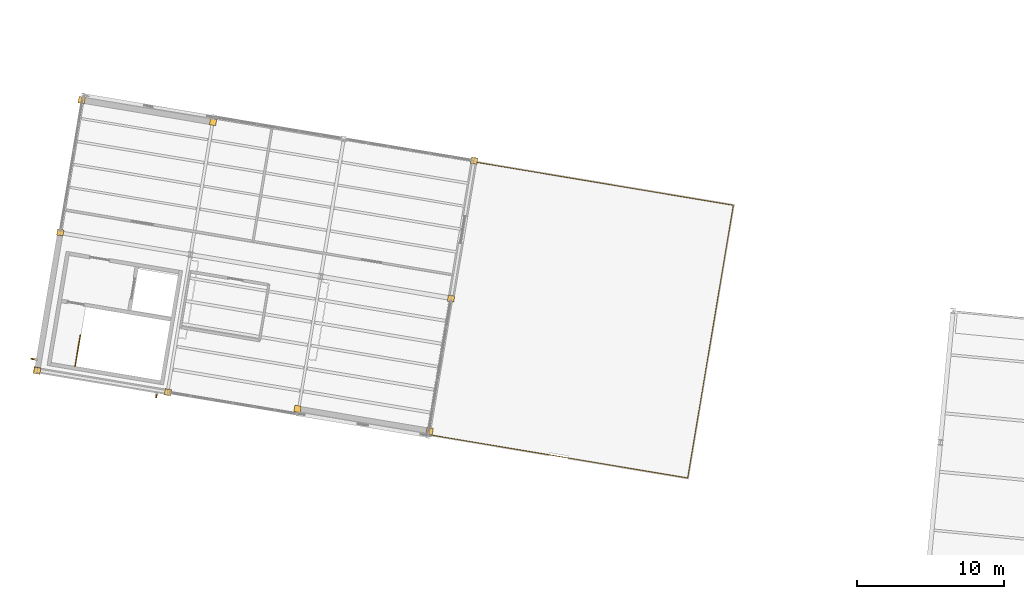
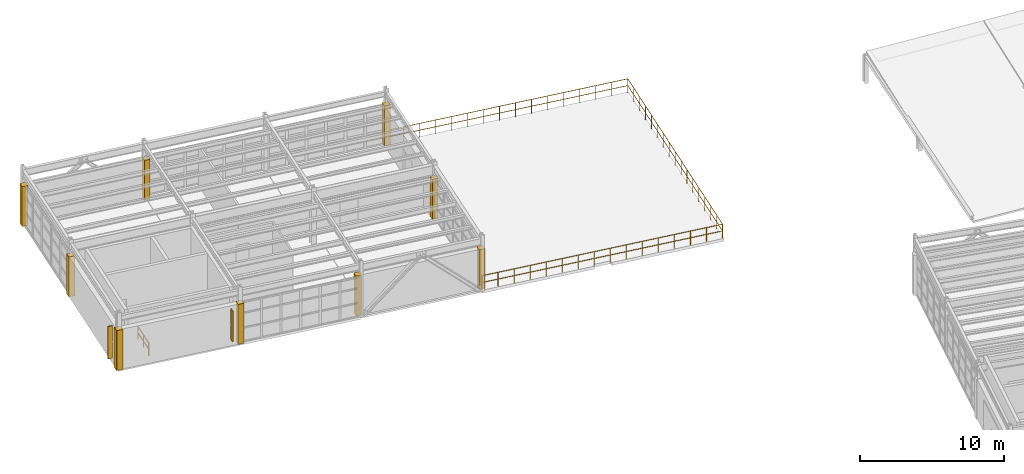
# One storey, part 58 of 59: 10 coverings, 2 railings, 2 shading devices.
"""IFC4 building model written with IfcOpenShell, lengths in metres."""

import ifcopenshell
import ifcopenshell.guid

model = None  # the IFC model being written
_history = None  # IfcOwnerHistory: only IFC2X3 demands one
_inside = {}  # id of a spatial element -> (the spatial element, [elements in it])
_under = {}  # id of a project, library or spatial element -> (it, [spatial elements below it])
_declared = {}  # id of a project -> (the project, [libraries it declares])
_typed = {}  # id of a type object -> (the type object, [elements of that type])
_made_of = {}  # id of a material, layer set ... -> (it, [elements and type objects made of it])


def new_model(schema):
    """Start an empty IFC model of exactly this schema.

    Asked for "IFC4X3", IfcOpenShell would pick the latest addendum, in which some entities
    have other attributes; the version numbers below select the first issue.
    IFC2X3 requires an IfcOwnerHistory on every rooted entity: one is made here for all.
    """
    global model, _history
    if schema == "IFC4X3":
        model = ifcopenshell.file(schema_version=(4, 3, 0, 0))
    else:
        model = ifcopenshell.file(schema=schema)
    _inside.clear()
    _under.clear()
    _declared.clear()
    _typed.clear()
    _made_of.clear()
    _history = None
    if model.schema == "IFC2X3":
        org = make("IfcOrganization", Name="unknown")
        user = make(
            "IfcPersonAndOrganization",
            ThePerson=make("IfcPerson", FamilyName="unknown"),
            TheOrganization=org,
        )
        app = make(
            "IfcApplication",
            ApplicationDeveloper=org,
            Version="unknown",
            ApplicationFullName="unknown",
            ApplicationIdentifier="unknown",
        )
        _history = make(
            "IfcOwnerHistory",
            OwningUser=user,
            OwningApplication=app,
            ChangeAction="ADDED",
            CreationDate=0,
        )
    return model


def make(cls, **values):
    """One entity of the class cls with the attributes given. An attribute that is None is left unset."""
    return model.create_entity(
        cls, **{name: value for name, value in values.items() if value is not None}
    )


def rooted(cls, **values):
    """An entity with a GlobalId (a new one), such as an element, a storey or a relation."""
    return make(cls, GlobalId=ifcopenshell.guid.new(), OwnerHistory=_history, **values)


def si_unit(unit_type, name, prefix=None):
    """IfcSIUnit, for example si_unit("LENGTHUNIT", "METRE", prefix="MILLI")."""
    return make("IfcSIUnit", UnitType=unit_type, Prefix=prefix, Name=name)


def assignment(units):
    """IfcUnitAssignment: the units of a project."""
    return None if units is None else make("IfcUnitAssignment", Units=units)


def point(xyz):
    """IfcCartesianPoint."""
    return None if xyz is None else make("IfcCartesianPoint", Coordinates=xyz)


def direction(xyz):
    """IfcDirection."""
    return None if xyz is None else make("IfcDirection", DirectionRatios=xyz)


def frame(location, z_axis=None, x_axis=None):
    """IfcAxis2Placement3D, a coordinate frame: its origin and axes. An axis left out is left unset."""
    return make(
        "IfcAxis2Placement3D",
        Location=point(location),
        Axis=direction(z_axis),
        RefDirection=direction(x_axis),
    )


def frame_2d(location, x_axis=None):
    """IfcAxis2Placement2D, a coordinate frame in the plane: its origin and x axis."""
    return make(
        "IfcAxis2Placement2D", Location=point(location), RefDirection=direction(x_axis)
    )


def origin():
    """The frame at (0, 0, 0) with its axes left unset."""
    return frame((0.0, 0.0, 0.0))


def origin_2d():
    """The frame at (0, 0) in the plane with its x axis left unset."""
    return frame_2d((0.0, 0.0))


def place(relative_to, where):
    """IfcLocalPlacement: puts the frame where relative to a parent placement (None: the world)."""
    return make(
        "IfcLocalPlacement", PlacementRelTo=relative_to, RelativePlacement=where
    )


def context(
    kind, dimensions, precision=None, world=None, true_north=None, identifier=None
):
    """IfcGeometricRepresentationContext, for example the 3D "Model" context."""
    return make(
        "IfcGeometricRepresentationContext",
        ContextIdentifier=identifier,
        ContextType=kind,
        CoordinateSpaceDimension=dimensions,
        Precision=precision,
        WorldCoordinateSystem=world,
        TrueNorth=true_north,
    )


def subcontext(parent, identifier, kind, view, scale=None):
    """IfcGeometricRepresentationSubContext, for example "Body" below "Model"."""
    return make(
        "IfcGeometricRepresentationSubContext",
        ContextIdentifier=identifier,
        ContextType=kind,
        ParentContext=parent,
        TargetScale=scale,
        TargetView=view,
    )


def project(units=None, contexts=None):
    """IfcProject with its units and contexts."""
    return rooted(
        "IfcProject",
        Name="project",
        RepresentationContexts=contexts,
        UnitsInContext=assignment(units),
    )


def spatial(cls, under=None, at=None, **own):
    """A site, building, storey or space (cls), placed at a placement, below another one or the project."""
    s = rooted(cls, ObjectPlacement=at, **own)
    if under is not None:
        _under.setdefault(under.id(), (under, []))[1].append(s)
    return s


def profile(cls, at=None, kind="AREA", **sizes):
    """A parametric profile (cls). Its sizes go by their IFC names, for example OverallWidth=200.0."""
    return make(cls, ProfileType=kind, Position=at, **sizes)


def rectangle(**sizes):
    """IfcRectangleProfileDef."""
    return profile("IfcRectangleProfileDef", **sizes)


def circle(**sizes):
    """IfcCircleProfileDef."""
    return profile("IfcCircleProfileDef", **sizes)


def extrude(swept, where, along, depth):
    """IfcExtrudedAreaSolid: the profile swept, set in the frame where, extruded along a direction by depth."""
    return make(
        "IfcExtrudedAreaSolid",
        SweptArea=swept,
        Position=where,
        ExtrudedDirection=direction(along),
        Depth=depth,
    )


def shape(context_of_items, identifier, shape_type, items):
    """IfcShapeRepresentation: the items that make up one representation, for example the "Body"."""
    return make(
        "IfcShapeRepresentation",
        ContextOfItems=context_of_items,
        RepresentationIdentifier=identifier,
        RepresentationType=shape_type,
        Items=items,
    )


def material(Name=None, Category=None):
    """IfcMaterial."""
    return make("IfcMaterial", Name=Name, Category=Category)


def layer(
    of_material, thickness, ventilated=None, Name=None, Category=None, Priority=None
):
    """IfcMaterialLayer: one layer of a wall or slab, of a material (None: an air gap)."""
    return make(
        "IfcMaterialLayer",
        Material=of_material,
        LayerThickness=thickness,
        IsVentilated=ventilated,
        Name=Name,
        Category=Category,
        Priority=Priority,
    )


def layer_set(layers, Name=None):
    """IfcMaterialLayerSet."""
    return make("IfcMaterialLayerSet", MaterialLayers=layers, LayerSetName=Name)


def made_of(thing, what):
    """Note that an element or type object is made of a material, layer set ...; save() writes the relation."""
    if what is not None:
        _made_of.setdefault(what.id(), (what, []))[1].append(thing)
    return thing


def type_object(cls, material=None, **own):
    """A type object (cls), such as IfcWallType, which elements share."""
    return made_of(rooted(cls, **own), material)


def element(
    cls,
    number,
    at=None,
    inside=None,
    cuts=None,
    type_object=None,
    material=None,
    context=None,
    identifier="Body",
    shape_type=None,
    held_by="IfcProductDefinitionShape",
    body=None,
    shapes=None,
    **own,
):
    """One element of the class cls, such as IfcWall. Its Tag is "e" and its number.

    at: its placement. inside: the storey or other place that contains it. cuts: it is an
    opening in that element (IfcRelVoidsElement). A single representation is given by context,
    identifier, shape_type and body (its items); several are given by shapes. held_by: the class
    of the entity that holds the representations. save() writes the other relations.
    """
    e = rooted(cls, Tag="e%d" % number, ObjectPlacement=at, **own)
    if body is not None:
        shapes = [shape(context, identifier, shape_type, body)]
    if shapes is not None:
        e.Representation = make(held_by, Representations=shapes)
    if inside is not None:
        _inside.setdefault(inside.id(), (inside, []))[1].append(e)
    if cuts is not None:
        rooted(
            "IfcRelVoidsElement", RelatingBuildingElement=cuts, RelatedOpeningElement=e
        )
    if type_object is not None:
        _typed.setdefault(type_object.id(), (type_object, []))[1].append(e)
    return made_of(e, material)


def aggregate(whole, parts):
    """IfcRelAggregates: a whole, such as a stair, and the parts it consists of."""
    return rooted("IfcRelAggregates", RelatingObject=whole, RelatedObjects=parts)


def save(model, path):
    """Write the relations noted so far, then the file.

    IfcRelAggregates (storeys below a building ...), IfcRelContainedInSpatialStructure (elements
    in a storey), IfcRelDefinesByType, IfcRelAssociatesMaterial and IfcRelDeclares: one each for
    every whole, place, type object, material and project.
    """
    for whole, parts in _under.values():
        aggregate(whole, parts)
    for where, things in _inside.values():
        rooted(
            "IfcRelContainedInSpatialStructure",
            RelatedElements=things,
            RelatingStructure=where,
        )
    for kind, things in _typed.values():
        rooted("IfcRelDefinesByType", RelatedObjects=things, RelatingType=kind)
    for what, things in _made_of.values():
        rooted("IfcRelAssociatesMaterial", RelatedObjects=things, RelatingMaterial=what)
    for by, libraries in _declared.values():
        rooted("IfcRelDeclares", RelatingContext=by, RelatedDefinitions=libraries)
    model.write(path)


model = new_model("IFC4")

# Units and contexts
model_context = context("Model", 3, precision=1e-05, world=origin(), true_north=direction((0.0, 1.0)))
body_context = subcontext(model_context, "Body", "Model", "MODEL_VIEW")
ifc_project = project(units=[si_unit("LENGTHUNIT", "METRE"), si_unit("AREAUNIT", "SQUARE_METRE"), si_unit("VOLUMEUNIT", "CUBIC_METRE"), si_unit("PLANEANGLEUNIT", "RADIAN"), si_unit("MASSUNIT", "GRAM", prefix="KILO")], contexts=[model_context])

# Site, building, storey
site_placement = place(None, origin())
site = spatial("IfcSite", under=ifc_project, at=site_placement, CompositionType="ELEMENT")
building_placement = place(site_placement, origin())
building = spatial("IfcBuilding", under=site, at=building_placement, Name="Vireo Bluff Cable Station", CompositionType="ELEMENT")
storey_placement = place(building_placement, frame((0.0, 0.0, 14.39990234375)))
storey = spatial("IfcBuildingStorey", under=building, at=storey_placement, Name="L03", CompositionType="ELEMENT", Elevation=14.39990234375)

# Coverings
ifc_material_1 = material(Name="Precast concrete f'c 45 MPa", Category="concrete")
ifc_layer = layer(ifc_material_1, 0.0400390625, Name="Precast concrete f'c 45 MPa")
ifc_layer_set = layer_set([ifc_layer], Name="Precast concrete f'c 45 MPa")
covering_type = type_object("IfcCoveringType", Name="COL-CLOSURE-WRAP", PredefinedType="CLADDING", material=ifc_layer_set)
for number, where, z_axis, x_axis, name in (
    (1, (33.80419921875, 76.740234375, 0.000244140625), (0.0, 0.0, 1.0), (0.986285601537, -0.165047605861, 0.0), "V4 L03 column pocket closure"),
    (2, (24.80224609375, 78.246826171875, 0.000244140625), (0.0, 0.0, 1.0), (0.986285601537, -0.165047605861, 0.0), "V4 L03 column pocket closure"),
    (3, (15.9697265625, 79.380126953125, 0.000244140625), (0.0, 0.0, 1.0), (0.986285601537, -0.165047605861, 0.0), "V4 L03 column pocket closure"),
    (4, (7.043701171875, 80.873779296875, 0.000244140625), (0.0, 0.0, 1.0), (0.986285601537, -0.165047605861, 0.0), "V4 L03 column pocket closure"),
    (5, (7.064453125, 80.849609375, 0.000244140625), (0.0, 0.0, 1.0), (0.986285601537, -0.165047605861, 0.0), "V4 L03 column pocket closure"),
    (6, (8.639404296875, 90.259765625, 0.000244140625), (0.0, 0.0, 1.0), (0.986285601537, -0.165047605861, 0.0), "V4 L03 column pocket closure"),
    (7, (10.098876953125, 99.281982421875, 0.000244140625), (0.0, 0.0, 1.0), (0.986285601537, -0.165047605861, 0.0), "V4 L03 column pocket closure"),
    (8, (19.049560546875, 97.7841796875, 0.000244140625), (0.0, 0.0, 1.0), (0.986285601537, -0.165047605861, 0.0), "V4 L03 column pocket closure"),
    (9, (36.833740234375, 95.154296875, 0.000244140625), (0.0, 0.0, 1.0), (0.986285601537, -0.165047605861, 0.0), "V4 L03 column pocket closure"),
    (10, (35.261474609375, 85.759033203125, 0.000244140625), (0.0, 0.0, 1.0), (0.986285601537, -0.165047605861, 0.0), "V4 L03 column pocket closure"),
):
    element("IfcCovering", number, at=place(storey_placement, frame(where, z_axis=z_axis, x_axis=x_axis)), inside=storey, type_object=covering_type, Name=name, PredefinedType="CLADDING", context=body_context, shape_type="SweptSolid", body=[
        extrude(rectangle(XDim=0.43994140625, YDim=0.43994140625, at=origin_2d()), origin(), (0.0, 0.0, 1.0), 3.39990234375),
    ])

# Railing
ifc_material_2 = material(Name="Stainless Steel 316", Category="steel")
railing_type_1 = type_object("IfcRailingType", Name="EXTGUARD-1200", PredefinedType="GUARDRAIL", material=ifc_material_2)
railing_1_placement = place(storey_placement, frame((33.750244140625, 76.48583984375, 0.0)))
element("IfcRailing", 11, at=railing_1_placement, inside=storey, type_object=railing_type_1, Name="V4 L03 outdoor terrace guard 2", PredefinedType="GUARDRAIL", context=body_context, shape_type="SweptSolid", body=[
    extrude(circle(Radius=0.02392578125, at=origin_2d()), frame((0.0, 0.0, 1.17578125), z_axis=(0.986284470904, -0.165054362115, 0.0), x_axis=(0.165054362115, 0.986284470904, 0.0)), (0.0, 0.0, 1.0), 17.8798828125),
    extrude(circle(Radius=0.02392578125, at=origin_2d()), frame((0.0, 0.0, 0.60009765625), z_axis=(0.986284470904, -0.165054362115, 0.0), x_axis=(0.165054362115, 0.986284470904, 0.0)), (0.0, 0.0, 1.0), 17.8798828125),
    extrude(circle(Radius=0.02392578125, at=origin_2d()), frame((17.634765625, -2.951171875, 1.17578125), z_axis=(0.165054589684, 0.986284432821, 0.0), x_axis=(-0.986284432821, 0.165054589684, 0.0)), (0.0, 0.0, 1.0), 18.83984375),
    extrude(circle(Radius=0.02392578125, at=origin_2d()), frame((17.634765625, -2.951171875, 0.60009765625), z_axis=(0.165054589684, 0.986284432821, 0.0), x_axis=(-0.986284432821, 0.165054589684, 0.0)), (0.0, 0.0, 1.0), 18.83984375),
    extrude(circle(Radius=0.02392578125, at=origin_2d()), frame((20.744384765625, 15.63037109375, 1.17578125), z_axis=(-0.986284470904, 0.165054362115, 0.0), x_axis=(-0.165054362115, -0.986284470904, 0.0)), (0.0, 0.0, 1.0), 17.8798828125),
    extrude(circle(Radius=0.02392578125, at=origin_2d()), frame((20.744384765625, 15.63037109375, 0.60009765625), z_axis=(-0.986284470904, 0.165054362115, 0.0), x_axis=(-0.165054362115, -0.986284470904, 0.0)), (0.0, 0.0, 1.0), 17.8798828125),
    extrude(circle(Radius=0.02099609375, at=origin_2d()), origin(), (0.0, 0.0, 1.0), 1.15185546875),
    extrude(circle(Radius=0.02099609375, at=origin_2d()), frame((1.175537109375, -0.19677734375, 0.0)), (0.0, 0.0, 1.0), 1.15185546875),
    extrude(circle(Radius=0.02099609375, at=origin_2d()), frame((2.351318359375, -0.3935546875, 0.0)), (0.0, 0.0, 1.0), 1.15185546875),
    extrude(circle(Radius=0.02099609375, at=origin_2d()), frame((3.52685546875, -0.59033203125, 0.0)), (0.0, 0.0, 1.0), 1.15185546875),
    extrude(circle(Radius=0.02099609375, at=origin_2d()), frame((4.70263671875, -0.786865234375, 0.0)), (0.0, 0.0, 1.0), 1.15185546875),
    extrude(circle(Radius=0.02099609375, at=origin_2d()), frame((5.878173828125, -0.983642578125, 0.0)), (0.0, 0.0, 1.0), 1.15185546875),
    extrude(circle(Radius=0.02099609375, at=origin_2d()), frame((7.053955078125, -1.180419921875, 0.0)), (0.0, 0.0, 1.0), 1.15185546875),
    extrude(circle(Radius=0.02099609375, at=origin_2d()), frame((8.2294921875, -1.377197265625, 0.0)), (0.0, 0.0, 1.0), 1.15185546875),
    extrude(circle(Radius=0.02099609375, at=origin_2d()), frame((9.4052734375, -1.573974609375, 0.0)), (0.0, 0.0, 1.0), 1.15185546875),
    extrude(circle(Radius=0.02099609375, at=origin_2d()), frame((10.580810546875, -1.770751953125, 0.0)), (0.0, 0.0, 1.0), 1.15185546875),
    extrude(circle(Radius=0.02099609375, at=origin_2d()), frame((11.756591796875, -1.967529296875, 0.0)), (0.0, 0.0, 1.0), 1.15185546875),
    extrude(circle(Radius=0.02099609375, at=origin_2d()), frame((12.93212890625, -2.164306640625, 0.0)), (0.0, 0.0, 1.0), 1.15185546875),
    extrude(circle(Radius=0.02099609375, at=origin_2d()), frame((14.10791015625, -2.36083984375, 0.0)), (0.0, 0.0, 1.0), 1.15185546875),
    extrude(circle(Radius=0.02099609375, at=origin_2d()), frame((15.283447265625, -2.5576171875, 0.0)), (0.0, 0.0, 1.0), 1.15185546875),
    extrude(circle(Radius=0.02099609375, at=origin_2d()), frame((16.459228515625, -2.75439453125, 0.0)), (0.0, 0.0, 1.0), 1.15185546875),
    extrude(circle(Radius=0.02099609375, at=origin_2d()), frame((17.634765625, -2.951171875, 0.0)), (0.0, 0.0, 1.0), 1.15185546875),
    extrude(circle(Radius=0.02099609375, at=origin_2d()), frame((17.8291015625, -1.789794921875, 0.0)), (0.0, 0.0, 1.0), 1.15185546875),
    extrude(circle(Radius=0.02099609375, at=origin_2d()), frame((18.0234375, -0.62841796875, 0.0)), (0.0, 0.0, 1.0), 1.15185546875),
    extrude(circle(Radius=0.02099609375, at=origin_2d()), frame((18.2177734375, 0.532958984375, 0.0)), (0.0, 0.0, 1.0), 1.15185546875),
    extrude(circle(Radius=0.02099609375, at=origin_2d()), frame((18.412109375, 1.6943359375, 0.0)), (0.0, 0.0, 1.0), 1.15185546875),
    extrude(circle(Radius=0.02099609375, at=origin_2d()), frame((18.6064453125, 2.85546875, 0.0)), (0.0, 0.0, 1.0), 1.15185546875),
    extrude(circle(Radius=0.02099609375, at=origin_2d()), frame((18.80078125, 4.016845703125, 0.0)), (0.0, 0.0, 1.0), 1.15185546875),
    extrude(circle(Radius=0.02099609375, at=origin_2d()), frame((18.9951171875, 5.17822265625, 0.0)), (0.0, 0.0, 1.0), 1.15185546875),
    extrude(circle(Radius=0.02099609375, at=origin_2d()), frame((19.189453125, 6.339599609375, 0.0)), (0.0, 0.0, 1.0), 1.15185546875),
    extrude(circle(Radius=0.02099609375, at=origin_2d()), frame((19.384033203125, 7.5009765625, 0.0)), (0.0, 0.0, 1.0), 1.15185546875),
    extrude(circle(Radius=0.02099609375, at=origin_2d()), frame((19.578369140625, 8.662353515625, 0.0)), (0.0, 0.0, 1.0), 1.15185546875),
    extrude(circle(Radius=0.02099609375, at=origin_2d()), frame((19.772705078125, 9.82373046875, 0.0)), (0.0, 0.0, 1.0), 1.15185546875),
    extrude(circle(Radius=0.02099609375, at=origin_2d()), frame((19.967041015625, 10.98486328125, 0.0)), (0.0, 0.0, 1.0), 1.15185546875),
    extrude(circle(Radius=0.02099609375, at=origin_2d()), frame((20.161376953125, 12.146240234375, 0.0)), (0.0, 0.0, 1.0), 1.15185546875),
    extrude(circle(Radius=0.02099609375, at=origin_2d()), frame((20.355712890625, 13.3076171875, 0.0)), (0.0, 0.0, 1.0), 1.15185546875),
    extrude(circle(Radius=0.02099609375, at=origin_2d()), frame((20.550048828125, 14.468994140625, 0.0)), (0.0, 0.0, 1.0), 1.15185546875),
    extrude(circle(Radius=0.02099609375, at=origin_2d()), frame((20.744384765625, 15.63037109375, 0.0)), (0.0, 0.0, 1.0), 1.15185546875),
    extrude(circle(Radius=0.02099609375, at=origin_2d()), frame((19.56884765625, 15.8271484375, 0.0)), (0.0, 0.0, 1.0), 1.15185546875),
    extrude(circle(Radius=0.02099609375, at=origin_2d()), frame((18.39306640625, 16.02392578125, 0.0)), (0.0, 0.0, 1.0), 1.15185546875),
    extrude(circle(Radius=0.02099609375, at=origin_2d()), frame((17.217529296875, 16.220703125, 0.0)), (0.0, 0.0, 1.0), 1.15185546875),
    extrude(circle(Radius=0.02099609375, at=origin_2d()), frame((16.041748046875, 16.417236328125, 0.0)), (0.0, 0.0, 1.0), 1.15185546875),
    extrude(circle(Radius=0.02099609375, at=origin_2d()), frame((14.8662109375, 16.614013671875, 0.0)), (0.0, 0.0, 1.0), 1.15185546875),
    extrude(circle(Radius=0.02099609375, at=origin_2d()), frame((13.6904296875, 16.810791015625, 0.0)), (0.0, 0.0, 1.0), 1.15185546875),
    extrude(circle(Radius=0.02099609375, at=origin_2d()), frame((12.514892578125, 17.007568359375, 0.0)), (0.0, 0.0, 1.0), 1.15185546875),
    extrude(circle(Radius=0.02099609375, at=origin_2d()), frame((11.339111328125, 17.204345703125, 0.0)), (0.0, 0.0, 1.0), 1.15185546875),
    extrude(circle(Radius=0.02099609375, at=origin_2d()), frame((10.16357421875, 17.401123046875, 0.0)), (0.0, 0.0, 1.0), 1.15185546875),
    extrude(circle(Radius=0.02099609375, at=origin_2d()), frame((8.98779296875, 17.597900390625, 0.0)), (0.0, 0.0, 1.0), 1.15185546875),
    extrude(circle(Radius=0.02099609375, at=origin_2d()), frame((7.812255859375, 17.794677734375, 0.0)), (0.0, 0.0, 1.0), 1.15185546875),
    extrude(circle(Radius=0.02099609375, at=origin_2d()), frame((6.636474609375, 17.9912109375, 0.0)), (0.0, 0.0, 1.0), 1.15185546875),
    extrude(circle(Radius=0.02099609375, at=origin_2d()), frame((5.4609375, 18.18798828125, 0.0)), (0.0, 0.0, 1.0), 1.15185546875),
    extrude(circle(Radius=0.02099609375, at=origin_2d()), frame((4.28515625, 18.384765625, 0.0)), (0.0, 0.0, 1.0), 1.15185546875),
    extrude(circle(Radius=0.02099609375, at=origin_2d()), frame((3.109619140625, 18.58154296875, 0.0)), (0.0, 0.0, 1.0), 1.15185546875),
])

# Shading devices
ifc_material_3 = material(Name="Extruded Terracotta Solar Fin", Category="masonry")
shading_device_type_1 = type_object("IfcShadingDeviceType", Name="SOLARFIN-320X2600", PredefinedType="SHUTTER", material=ifc_material_3)
shading_device_1_placement = place(storey_placement, frame((15.19189453125, 79.1552734375, 0.550048828125), z_axis=(0.0, 0.0, 1.0), x_axis=(-0.986285614938, 0.165047525781, 0.0)))
element("IfcShadingDevice", 12, at=shading_device_1_placement, inside=storey, type_object=shading_device_type_1, Name="V4 L03 solar brise-soleil fin 30", PredefinedType="SHUTTER", context=body_context, shape_type="SweptSolid", body=[
    extrude(rectangle(XDim=0.080078125, YDim=0.320068359375, at=origin_2d()), origin(), (0.0, 0.0, 1.0), 2.60009765625),
])
shading_device_type_2 = type_object("IfcShadingDeviceType", Name="SOLARFIN-360X2750", PredefinedType="SHUTTER", material=ifc_material_3)
shading_device_2_placement = place(storey_placement, frame((6.815185546875, 81.63134765625, 0.47509765625), z_axis=(0.0, 0.0, 1.0), x_axis=(0.165047600421, 0.986285602448, 0.0)))
element("IfcShadingDevice", 13, at=shading_device_2_placement, inside=storey, type_object=shading_device_type_2, Name="V4 L03 solar brise-soleil fin 31", PredefinedType="SHUTTER", context=body_context, shape_type="SweptSolid", body=[
    extrude(rectangle(XDim=0.080078125, YDim=0.360107421875, at=origin_2d()), origin(), (0.0, 0.0, 1.0), 2.75),
])

# Railing
railing_type_2 = type_object("IfcRailingType", Name="STAIR-GUARD-1100", PredefinedType="GUARDRAIL", material=ifc_material_2)
railing_2_placement = place(storey_placement, frame((9.649169921875, 81.1474609375, 0.0)))
element("IfcRailing", 14, at=railing_2_placement, inside=storey, type_object=railing_type_2, Name="L03 ST-03 top well guard 1", PredefinedType="GUARDRAIL", context=body_context, shape_type="SweptSolid", body=[
    extrude(circle(Radius=0.02392578125, at=origin_2d()), frame((0.0, 0.0, 1.076171875), z_axis=(0.165098646517, 0.986277058903, 0.0), x_axis=(-0.986277058903, 0.165098646517, 0.0)), (0.0, 0.0, 1.0), 2.150146484375),
    extrude(circle(Radius=0.02392578125, at=origin_2d()), frame((0.0, 0.0, 0.550048828125), z_axis=(0.165098646517, 0.986277058903, 0.0), x_axis=(-0.986277058903, 0.165098646517, 0.0)), (0.0, 0.0, 1.0), 2.150146484375),
    extrude(circle(Radius=0.02099609375, at=origin_2d()), origin(), (0.0, 0.0, 1.0), 1.052001953125),
    extrude(circle(Radius=0.02099609375, at=origin_2d()), frame((0.177490234375, 1.060302734375, 0.0)), (0.0, 0.0, 1.0), 1.052001953125),
    extrude(circle(Radius=0.02099609375, at=origin_2d()), frame((0.35498046875, 2.12060546875, 0.0)), (0.0, 0.0, 1.0), 1.052001953125),
])

save(model, "model.ifc")
